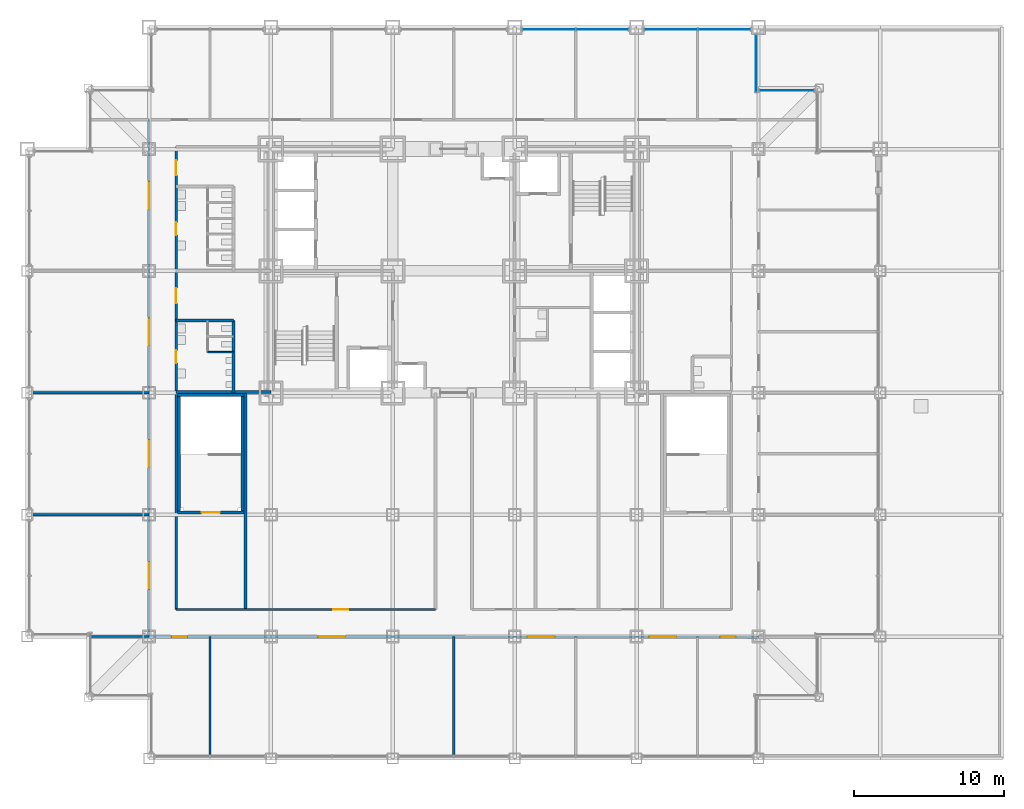
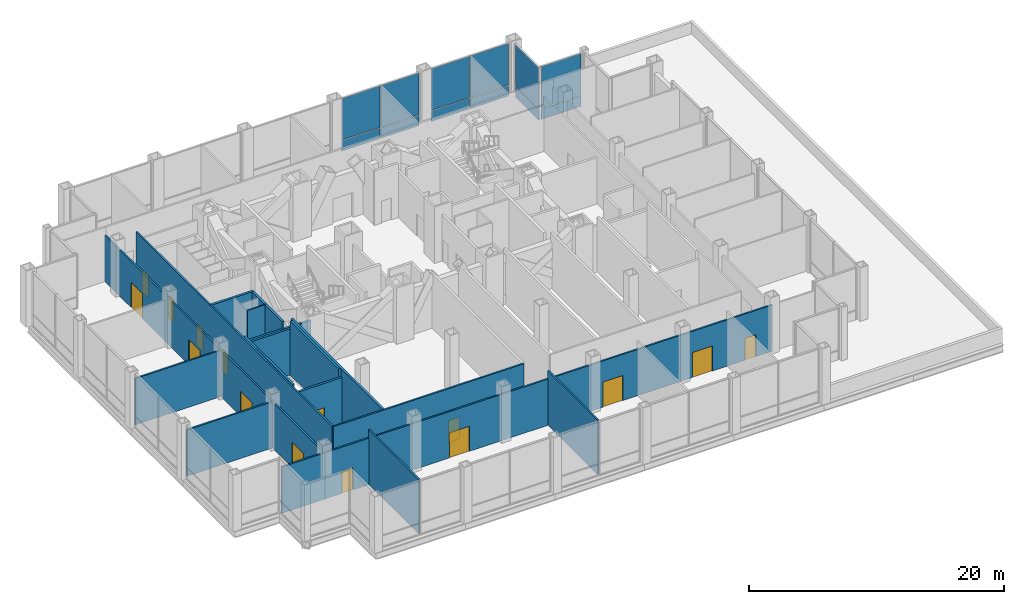
# One storey, part 12 of 18: 18 walls, 15 doors, 12 plates, 15 openings, 4 elements without a shape of their own.
"""IFC4 building model written with IfcOpenShell, lengths in metres."""

from ifc_helpers import new_model, si_unit, direction, frame, frame_2d, origin, origin_2d, place, context, subcontext, project, spatial, rectangle, extrude, material, layer, layer_set, type_object, element, fill, aggregate, save


model = new_model("IFC4")

# Units and contexts
model_context = context("Model", 3, precision=1e-05, world=origin(), true_north=direction((0.0, 1.0)))
body_context = subcontext(model_context, "Body", "Model", "MODEL_VIEW")
ifc_project = project(units=[si_unit("LENGTHUNIT", "METRE"), si_unit("AREAUNIT", "SQUARE_METRE"), si_unit("VOLUMEUNIT", "CUBIC_METRE"), si_unit("PLANEANGLEUNIT", "RADIAN"), si_unit("MASSUNIT", "GRAM", prefix="KILO")], contexts=[model_context])

# Site, building, storey
site_placement = place(None, origin())
site = spatial("IfcSite", under=ifc_project, at=site_placement, CompositionType="ELEMENT")
building_placement = place(site_placement, origin())
building = spatial("IfcBuilding", under=site, at=building_placement, Name="Kopane Lantern Tower", CompositionType="ELEMENT")
storey_placement = place(building_placement, frame((0.0, 0.0, 22.199951171875)))
storey = spatial("IfcBuildingStorey", under=building, at=storey_placement, Name="L04", CompositionType="ELEMENT", Elevation=22.199951171875)

# Curtain wall, plates
ifc_material_1 = material(Name="Aluminium and clear glass", Category="aluminium")
curtain_wall_type = type_object("IfcCurtainWallType", Name="CURTAIN WALL CW3 SKY LOBBY", PredefinedType="USERDEFINED", material=ifc_material_1)
curtain_wall_1_placement = place(storey_placement, origin())
curtain_wall_1 = element("IfcCurtainWall", 1, at=curtain_wall_1_placement, inside=storey, type_object=curtain_wall_type, Name="Curtain wall CW3 N L04", ObjectType="CURTAIN WALL", PredefinedType="USERDEFINED")
ifc_material_2 = material(Name="Insulated clear glass unit", Category="glass")
ifc_layer_1 = layer(ifc_material_2, 0.033935546875)
ifc_layer_set_1 = layer_set([ifc_layer_1], Name="CURTAIN PANEL CW3-P 34")
plate_type = type_object("IfcPlateType", Name="CURTAIN PANEL CW3-P 34", PredefinedType="CURTAIN_PANEL", material=ifc_layer_set_1)
plate_1_placement = place(storey_placement, frame((50.47509765625, 44.39990234375, 0.070068359375), z_axis=(0.0, 0.0, 1.0), x_axis=(-1.0, 0.0, 0.0)))
plate_1 = element("IfcPlate", 2, at=plate_1_placement, type_object=plate_type, Name="CW3 panel 1.1", PredefinedType="CURTAIN_PANEL", context=body_context, shape_type="SweptSolid", body=[
    extrude(rectangle(XDim=3.610107421875, YDim=0.033935546875, at=origin_2d()), origin(), (0.0, 0.0, 1.0), 0.9951171875),
])
plate_2_placement = place(storey_placement, frame((50.47509765625, 44.39990234375, 1.134765625), z_axis=(0.0, 0.0, 1.0), x_axis=(-1.0, 0.0, 0.0)))
plate_2 = element("IfcPlate", 3, at=plate_2_placement, type_object=plate_type, Name="CW3 panel 1.2", PredefinedType="CURTAIN_PANEL", context=body_context, shape_type="SweptSolid", body=[
    extrude(rectangle(XDim=3.610107421875, YDim=0.033935546875, at=origin_2d()), origin(), (0.0, 0.0, 1.0), 3.985107421875),
])
aggregate(curtain_wall_1, [plate_1, plate_2])

curtain_wall_2_placement = place(storey_placement, origin())
curtain_wall_2 = element("IfcCurtainWall", 4, at=curtain_wall_2_placement, inside=storey, type_object=curtain_wall_type, Name="Curtain wall CW3 E L04", ObjectType="CURTAIN WALL", PredefinedType="USERDEFINED")
plate_3_placement = place(storey_placement, frame((48.449951171875, 46.18505859375, 0.070068359375), z_axis=(0.0, 0.0, 1.0), x_axis=(0.0, 1.0, 0.0)))
plate_3 = element("IfcPlate", 5, at=plate_3_placement, type_object=plate_type, Name="CW3 panel 1.1", PredefinedType="CURTAIN_PANEL", context=body_context, shape_type="SweptSolid", body=[
    extrude(rectangle(XDim=3.72998046875, YDim=0.033935546875, at=origin_2d()), origin(), (0.0, 0.0, 1.0), 0.9951171875),
])
plate_4_placement = place(storey_placement, frame((48.449951171875, 46.18505859375, 1.134765625), z_axis=(0.0, 0.0, 1.0), x_axis=(0.0, 1.0, 0.0)))
plate_4 = element("IfcPlate", 6, at=plate_4_placement, type_object=plate_type, Name="CW3 panel 1.2", PredefinedType="CURTAIN_PANEL", context=body_context, shape_type="SweptSolid", body=[
    extrude(rectangle(XDim=3.72998046875, YDim=0.033935546875, at=origin_2d()), origin(), (0.0, 0.0, 1.0), 3.985107421875),
])
aggregate(curtain_wall_2, [plate_3, plate_4])

curtain_wall_3_placement = place(storey_placement, origin())
curtain_wall_3 = element("IfcCurtainWall", 7, at=curtain_wall_3_placement, inside=storey, type_object=curtain_wall_type, Name="Curtain wall CW3 N L04", ObjectType="CURTAIN WALL", PredefinedType="USERDEFINED")
plate_5_placement = place(storey_placement, frame((46.3173828125, 48.449951171875, 0.070068359375), z_axis=(0.0, 0.0, 1.0), x_axis=(-1.0, 0.0, 0.0)))
plate_5 = element("IfcPlate", 8, at=plate_5_placement, type_object=plate_type, Name="CW3 panel 1.1", PredefinedType="CURTAIN_PANEL", context=body_context, shape_type="SweptSolid", body=[
    extrude(rectangle(XDim=3.465087890625, YDim=0.033935546875, at=origin_2d()), origin(), (0.0, 0.0, 1.0), 0.9951171875),
])
plate_6_placement = place(storey_placement, frame((46.3173828125, 48.449951171875, 1.134765625), z_axis=(0.0, 0.0, 1.0), x_axis=(-1.0, 0.0, 0.0)))
plate_6 = element("IfcPlate", 9, at=plate_6_placement, type_object=plate_type, Name="CW3 panel 1.2", PredefinedType="CURTAIN_PANEL", context=body_context, shape_type="SweptSolid", body=[
    extrude(rectangle(XDim=3.465087890625, YDim=0.033935546875, at=origin_2d()), origin(), (0.0, 0.0, 1.0), 3.985107421875),
])
plate_7_placement = place(storey_placement, frame((42.782470703125, 48.449951171875, 0.070068359375), z_axis=(0.0, 0.0, 1.0), x_axis=(-1.0, 0.0, 0.0)))
plate_7 = element("IfcPlate", 10, at=plate_7_placement, type_object=plate_type, Name="CW3 panel 2.1", PredefinedType="CURTAIN_PANEL", context=body_context, shape_type="SweptSolid", body=[
    extrude(rectangle(XDim=3.465087890625, YDim=0.033935546875, at=origin_2d()), origin(), (0.0, 0.0, 1.0), 0.9951171875),
])
plate_8_placement = place(storey_placement, frame((42.782470703125, 48.449951171875, 1.134765625), z_axis=(0.0, 0.0, 1.0), x_axis=(-1.0, 0.0, 0.0)))
plate_8 = element("IfcPlate", 11, at=plate_8_placement, type_object=plate_type, Name="CW3 panel 2.2", PredefinedType="CURTAIN_PANEL", context=body_context, shape_type="SweptSolid", body=[
    extrude(rectangle(XDim=3.465087890625, YDim=0.033935546875, at=origin_2d()), origin(), (0.0, 0.0, 1.0), 3.985107421875),
])
aggregate(curtain_wall_3, [plate_5, plate_6, plate_7, plate_8])

curtain_wall_4_placement = place(storey_placement, origin())
curtain_wall_4 = element("IfcCurtainWall", 12, at=curtain_wall_4_placement, inside=storey, type_object=curtain_wall_type, Name="Curtain wall CW3 N L04", ObjectType="CURTAIN WALL", PredefinedType="USERDEFINED")
plate_9_placement = place(storey_placement, frame((38.217529296875, 48.449951171875, 0.070068359375), z_axis=(0.0, 0.0, 1.0), x_axis=(-1.0, 0.0, 0.0)))
plate_9 = element("IfcPlate", 13, at=plate_9_placement, type_object=plate_type, Name="CW3 panel 1.1", PredefinedType="CURTAIN_PANEL", context=body_context, shape_type="SweptSolid", body=[
    extrude(rectangle(XDim=3.465087890625, YDim=0.033935546875, at=origin_2d()), origin(), (0.0, 0.0, 1.0), 0.9951171875),
])
plate_10_placement = place(storey_placement, frame((38.217529296875, 48.449951171875, 1.134765625), z_axis=(0.0, 0.0, 1.0), x_axis=(-1.0, 0.0, 0.0)))
plate_10 = element("IfcPlate", 14, at=plate_10_placement, type_object=plate_type, Name="CW3 panel 1.2", PredefinedType="CURTAIN_PANEL", context=body_context, shape_type="SweptSolid", body=[
    extrude(rectangle(XDim=3.465087890625, YDim=0.033935546875, at=origin_2d()), origin(), (0.0, 0.0, 1.0), 3.985107421875),
])
plate_11_placement = place(storey_placement, frame((34.6826171875, 48.449951171875, 0.070068359375), z_axis=(0.0, 0.0, 1.0), x_axis=(-1.0, 0.0, 0.0)))
plate_11 = element("IfcPlate", 15, at=plate_11_placement, type_object=plate_type, Name="CW3 panel 2.1", PredefinedType="CURTAIN_PANEL", context=body_context, shape_type="SweptSolid", body=[
    extrude(rectangle(XDim=3.465087890625, YDim=0.033935546875, at=origin_2d()), origin(), (0.0, 0.0, 1.0), 0.9951171875),
])
plate_12_placement = place(storey_placement, frame((34.6826171875, 48.449951171875, 1.134765625), z_axis=(0.0, 0.0, 1.0), x_axis=(-1.0, 0.0, 0.0)))
plate_12 = element("IfcPlate", 16, at=plate_12_placement, type_object=plate_type, Name="CW3 panel 2.2", PredefinedType="CURTAIN_PANEL", context=body_context, shape_type="SweptSolid", body=[
    extrude(rectangle(XDim=3.465087890625, YDim=0.033935546875, at=origin_2d()), origin(), (0.0, 0.0, 1.0), 3.985107421875),
])
aggregate(curtain_wall_4, [plate_9, plate_10, plate_11, plate_12])

# Wall
ifc_material_3 = material(Name="Moisture-resistant board on steel studs", Category="steel")
ifc_layer_2 = layer(ifc_material_3, 0.10009765625)
ifc_layer_set_2 = layer_set([ifc_layer_2], Name="BATHROOM WALL 100")
wall_type_1 = type_object("IfcWallType", Name="BATHROOM WALL 100", PredefinedType="PARTITIONING", material=ifc_layer_set_2)
wall_1_placement = place(storey_placement, frame((12.0, 27.0, 0.0), z_axis=(0.0, 0.0, 1.0), x_axis=(1.0, 0.0, 0.0)))
element("IfcWall", 17, at=wall_1_placement, inside=storey, type_object=wall_type_1, Name="Bathroom Wall 100 L04", PredefinedType="PARTITIONING", context=body_context, shape_type="SweptSolid", body=[
    extrude(rectangle(XDim=1.699951171875, YDim=0.10009765625, at=frame_2d((0.85009765625, 0.0))), origin(), (0.0, 0.0, 1.0), 5.18994140625),
])

# Wall, openings, doors
ifc_material_4 = material(Name="Gypsum board on steel studs", Category="steel")
ifc_layer_3 = layer(ifc_material_4, 0.14990234375)
ifc_layer_set_3 = layer_set([ifc_layer_3], Name="CORRIDOR WALL 150 EI 60")
wall_type_2 = type_object("IfcWallType", Name="CORRIDOR WALL 150 EI 60", PredefinedType="PARTITIONING", material=ifc_layer_set_3)
wall_2_placement = place(storey_placement, frame((8.10009765625, 8.10009765625, 0.0), z_axis=(0.0, 0.0, 1.0), x_axis=(0.99999962324, -0.000868055229, 0.0)))
wall_2 = element("IfcWall", 18, at=wall_2_placement, inside=storey, type_object=wall_type_2, Name="Corridor Wall 150 Ei 60 L04", PredefinedType="PARTITIONING", context=body_context, shape_type="SweptSolid", body=[
    extrude(rectangle(XDim=40.5, YDim=0.14990234375, at=frame_2d((20.25, 0.0))), origin(), (0.0, 0.0, 1.0), 4.427734375),
])
opening_1_placement = place(wall_2_placement, frame((11.25, 0.0, 0.0)))
opening_1 = element("IfcOpeningElement", 19, at=opening_1_placement, cuts=wall_2, Name="Opening L04-012", PredefinedType="OPENING", context=body_context, shape_type="SweptSolid", body=[
    extrude(rectangle(XDim=1.800048828125, YDim=2.39990234375, at=frame_2d((0.89990234375, 1.199951171875))), frame((0.0, 0.0849609375, 0.0), z_axis=(0.0, -1.0, 0.0), x_axis=(1.0, 0.0, 0.0)), (0.0, 0.0, 1.0), 0.169921875),
])
opening_2_placement = place(wall_2_placement, frame((25.14990234375, 0.0, 0.0)))
opening_2 = element("IfcOpeningElement", 20, at=opening_2_placement, cuts=wall_2, Name="Opening L04-013", PredefinedType="OPENING", context=body_context, shape_type="SweptSolid", body=[
    extrude(rectangle(XDim=1.800048828125, YDim=2.39990234375, at=frame_2d((0.89990234375, 1.199951171875))), frame((0.0, 0.0849609375, 0.0), z_axis=(0.0, -1.0, 0.0), x_axis=(1.0, 0.0, 0.0)), (0.0, 0.0, 1.0), 0.169921875),
])
opening_3_placement = place(wall_2_placement, frame((33.25, 0.0, 0.0)))
opening_3 = element("IfcOpeningElement", 21, at=opening_3_placement, cuts=wall_2, Name="Opening L04-014", PredefinedType="OPENING", context=body_context, shape_type="SweptSolid", body=[
    extrude(rectangle(XDim=1.800048828125, YDim=2.39990234375, at=frame_2d((0.89990234375, 1.199951171875))), frame((0.0, 0.0849609375, 0.0), z_axis=(0.0, -1.0, 0.0), x_axis=(1.0, 0.0, 0.0)), (0.0, 0.0, 1.0), 0.169921875),
])
opening_4_placement = place(wall_2_placement, frame((1.52490234375, 0.0, 0.0)))
opening_4 = element("IfcOpeningElement", 22, at=opening_4_placement, cuts=wall_2, Name="Opening L04-030", PredefinedType="OPENING", context=body_context, shape_type="SweptSolid", body=[
    extrude(rectangle(XDim=1.0, YDim=2.10009765625, at=frame_2d((0.5, 1.050048828125))), frame((0.0, 0.0849609375, 0.0), z_axis=(0.0, -1.0, 0.0), x_axis=(1.0, 0.0, 0.0)), (0.0, 0.0, 1.0), 0.169921875),
])
opening_5_placement = place(wall_2_placement, frame((37.97509765625, 0.0, 0.0)))
opening_5 = element("IfcOpeningElement", 23, at=opening_5_placement, cuts=wall_2, Name="Opening L04-031", PredefinedType="OPENING", context=body_context, shape_type="SweptSolid", body=[
    extrude(rectangle(XDim=1.0, YDim=2.10009765625, at=frame_2d((0.5, 1.050048828125))), frame((0.0, 0.0849609375, 0.0), z_axis=(0.0, -1.0, 0.0), x_axis=(1.0, 0.0, 0.0)), (0.0, 0.0, 1.0), 0.169921875),
])
ifc_material_5 = material(Name="Steel door set", Category="steel")
door_type_1 = type_object("IfcDoorType", Name="DOOR D5 1000x2100 FD60", OperationType="SINGLE_SWING_LEFT", PredefinedType="DOOR", material=ifc_material_5)
door_1_placement = place(opening_4_placement, origin())
door_1 = element("IfcDoor", 24, at=door_1_placement, inside=storey, type_object=door_type_1, Name="Door L04-030", OperationType="SINGLE_SWING_LEFT", OverallHeight=2.10009765625, OverallWidth=1.0, PredefinedType="DOOR", context=body_context, shape_type="SweptSolid", body=[
    extrude(rectangle(XDim=1.0, YDim=2.10009765625, at=frame_2d((0.5, 1.050048828125))), frame((0.0, 0.02490234375, 0.0), z_axis=(0.0, -1.0, 0.0), x_axis=(1.0, 0.0, 0.0)), (0.0, 0.0, 1.0), 0.050048828125),
])
fill(opening_4, door_1)
door_2_placement = place(opening_5_placement, origin())
door_2 = element("IfcDoor", 25, at=door_2_placement, inside=storey, type_object=door_type_1, Name="Door L04-031", OperationType="SINGLE_SWING_RIGHT", OverallHeight=2.10009765625, OverallWidth=1.0, PredefinedType="DOOR", context=body_context, shape_type="SweptSolid", body=[
    extrude(rectangle(XDim=1.0, YDim=2.10009765625, at=frame_2d((0.5, 1.050048828125))), frame((0.0, 0.02490234375, 0.0), z_axis=(0.0, -1.0, 0.0), x_axis=(1.0, 0.0, 0.0)), (0.0, 0.0, 1.0), 0.050048828125),
])
fill(opening_5, door_2)
ifc_material_6 = material(Name="Steel door set", Category="steel")
door_type_2 = type_object("IfcDoorType", Name="DOOR D6 1800x2400 FD30S", OperationType="SINGLE_SWING_LEFT", PredefinedType="DOOR", material=ifc_material_6)
door_3_placement = place(opening_1_placement, origin())
door_3 = element("IfcDoor", 26, at=door_3_placement, inside=storey, type_object=door_type_2, Name="Door L04-012", OperationType="DOUBLE_DOOR_SINGLE_SWING", OverallHeight=2.39990234375, OverallWidth=1.800048828125, PredefinedType="DOOR", context=body_context, shape_type="SweptSolid", body=[
    extrude(rectangle(XDim=1.800048828125, YDim=2.39990234375, at=frame_2d((0.89990234375, 1.199951171875))), frame((0.0, 0.02490234375, 0.0), z_axis=(0.0, -1.0, 0.0), x_axis=(1.0, 0.0, 0.0)), (0.0, 0.0, 1.0), 0.050048828125),
])
fill(opening_1, door_3)
door_4_placement = place(opening_2_placement, origin())
door_4 = element("IfcDoor", 27, at=door_4_placement, inside=storey, type_object=door_type_2, Name="Door L04-013", OperationType="DOUBLE_DOOR_SINGLE_SWING", OverallHeight=2.39990234375, OverallWidth=1.800048828125, PredefinedType="DOOR", context=body_context, shape_type="SweptSolid", body=[
    extrude(rectangle(XDim=1.800048828125, YDim=2.39990234375, at=frame_2d((0.89990234375, 1.199951171875))), frame((0.0, 0.02490234375, 0.0), z_axis=(0.0, -1.0, 0.0), x_axis=(1.0, 0.0, 0.0)), (0.0, 0.0, 1.0), 0.050048828125),
])
fill(opening_2, door_4)
door_5_placement = place(opening_3_placement, origin())
door_5 = element("IfcDoor", 28, at=door_5_placement, inside=storey, type_object=door_type_2, Name="Door L04-014", OperationType="DOUBLE_DOOR_SINGLE_SWING", OverallHeight=2.39990234375, OverallWidth=1.800048828125, PredefinedType="DOOR", context=body_context, shape_type="SweptSolid", body=[
    extrude(rectangle(XDim=1.800048828125, YDim=2.39990234375, at=frame_2d((0.89990234375, 1.199951171875))), frame((0.0, 0.02490234375, 0.0), z_axis=(0.0, -1.0, 0.0), x_axis=(1.0, 0.0, 0.0)), (0.0, 0.0, 1.0), 0.050048828125),
])
fill(opening_3, door_5)

wall_3_placement = place(storey_placement, frame((8.10009765625, 8.10009765625, 0.0), z_axis=(0.0, 0.0, 1.0), x_axis=(0.0, 1.0, 0.0)))
wall_3 = element("IfcWall", 29, at=wall_3_placement, inside=storey, type_object=wall_type_2, Name="Corridor Wall 150 Ei 60 L04", PredefinedType="PARTITIONING", context=body_context, shape_type="SweptSolid", body=[
    extrude(rectangle(XDim=34.349853515625, YDim=0.14990234375, at=frame_2d((17.1748046875, 0.0))), origin(), (0.0, 0.0, 1.0), 4.427734375),
])
opening_6_placement = place(wall_3_placement, frame((3.14990234375, 0.0, 0.0)))
opening_6 = element("IfcOpeningElement", 30, at=opening_6_placement, cuts=wall_3, Name="Opening L04-019", PredefinedType="OPENING", context=body_context, shape_type="SweptSolid", body=[
    extrude(rectangle(XDim=1.800048828125, YDim=2.39990234375, at=frame_2d((0.89990234375, 1.199951171875))), frame((0.0, 0.0849609375, 0.0), z_axis=(0.0, -1.0, 0.0), x_axis=(1.0, 0.0, 0.0)), (0.0, 0.0, 1.0), 0.169921875),
])
opening_7_placement = place(wall_3_placement, frame((11.25, 0.0, 0.0)))
opening_7 = element("IfcOpeningElement", 31, at=opening_7_placement, cuts=wall_3, Name="Opening L04-020", PredefinedType="OPENING", context=body_context, shape_type="SweptSolid", body=[
    extrude(rectangle(XDim=1.800048828125, YDim=2.39990234375, at=frame_2d((0.89990234375, 1.199951171875))), frame((0.0, 0.0849609375, 0.0), z_axis=(0.0, -1.0, 0.0), x_axis=(1.0, 0.0, 0.0)), (0.0, 0.0, 1.0), 0.169921875),
])
opening_8_placement = place(wall_3_placement, frame((19.35009765625, 0.0, 0.0)))
opening_8 = element("IfcOpeningElement", 32, at=opening_8_placement, cuts=wall_3, Name="Opening L04-021", PredefinedType="OPENING", context=body_context, shape_type="SweptSolid", body=[
    extrude(rectangle(XDim=1.800048828125, YDim=2.39990234375, at=frame_2d((0.89990234375, 1.199951171875))), frame((0.0, 0.0849609375, 0.0), z_axis=(0.0, -1.0, 0.0), x_axis=(1.0, 0.0, 0.0)), (0.0, 0.0, 1.0), 0.169921875),
])
opening_9_placement = place(wall_3_placement, frame((28.425048828125, 0.0, 0.0)))
opening_9 = element("IfcOpeningElement", 33, at=opening_9_placement, cuts=wall_3, Name="Opening L04-022", PredefinedType="OPENING", context=body_context, shape_type="SweptSolid", body=[
    extrude(rectangle(XDim=1.800048828125, YDim=2.39990234375, at=frame_2d((0.89990234375, 1.199951171875))), frame((0.0, 0.0849609375, 0.0), z_axis=(0.0, -1.0, 0.0), x_axis=(1.0, 0.0, 0.0)), (0.0, 0.0, 1.0), 0.169921875),
])
door_6_placement = place(opening_6_placement, origin())
door_6 = element("IfcDoor", 34, at=door_6_placement, inside=storey, type_object=door_type_2, Name="Door L04-019", OperationType="DOUBLE_DOOR_SINGLE_SWING", OverallHeight=2.39990234375, OverallWidth=1.800048828125, PredefinedType="DOOR", context=body_context, shape_type="SweptSolid", body=[
    extrude(rectangle(XDim=1.800048828125, YDim=2.39990234375, at=frame_2d((0.89990234375, 1.199951171875))), frame((0.0, 0.02490234375, 0.0), z_axis=(0.0, -1.0, 0.0), x_axis=(1.0, 0.0, 0.0)), (0.0, 0.0, 1.0), 0.050048828125),
])
fill(opening_6, door_6)
door_7_placement = place(opening_7_placement, origin())
door_7 = element("IfcDoor", 35, at=door_7_placement, inside=storey, type_object=door_type_2, Name="Door L04-020", OperationType="DOUBLE_DOOR_SINGLE_SWING", OverallHeight=2.39990234375, OverallWidth=1.800048828125, PredefinedType="DOOR", context=body_context, shape_type="SweptSolid", body=[
    extrude(rectangle(XDim=1.800048828125, YDim=2.39990234375, at=frame_2d((0.89990234375, 1.199951171875))), frame((0.0, 0.02490234375, 0.0), z_axis=(0.0, -1.0, 0.0), x_axis=(1.0, 0.0, 0.0)), (0.0, 0.0, 1.0), 0.050048828125),
])
fill(opening_7, door_7)
door_8_placement = place(opening_8_placement, origin())
door_8 = element("IfcDoor", 36, at=door_8_placement, inside=storey, type_object=door_type_2, Name="Door L04-021", OperationType="DOUBLE_DOOR_SINGLE_SWING", OverallHeight=2.39990234375, OverallWidth=1.800048828125, PredefinedType="DOOR", context=body_context, shape_type="SweptSolid", body=[
    extrude(rectangle(XDim=1.800048828125, YDim=2.39990234375, at=frame_2d((0.89990234375, 1.199951171875))), frame((0.0, 0.02490234375, 0.0), z_axis=(0.0, -1.0, 0.0), x_axis=(1.0, 0.0, 0.0)), (0.0, 0.0, 1.0), 0.050048828125),
])
fill(opening_8, door_8)
door_9_placement = place(opening_9_placement, origin())
door_9 = element("IfcDoor", 37, at=door_9_placement, inside=storey, type_object=door_type_2, Name="Door L04-022", OperationType="DOUBLE_DOOR_SINGLE_SWING", OverallHeight=2.39990234375, OverallWidth=1.800048828125, PredefinedType="DOOR", context=body_context, shape_type="SweptSolid", body=[
    extrude(rectangle(XDim=1.800048828125, YDim=2.39990234375, at=frame_2d((0.89990234375, 1.199951171875))), frame((0.0, 0.02490234375, 0.0), z_axis=(0.0, -1.0, 0.0), x_axis=(1.0, 0.0, 0.0)), (0.0, 0.0, 1.0), 0.050048828125),
])
fill(opening_9, door_9)

wall_4_placement = place(storey_placement, frame((9.89990234375, 40.64990234375, 0.0), z_axis=(0.0, 0.0, 1.0), x_axis=(0.0, -1.0, 0.0)))
wall_4 = element("IfcWall", 38, at=wall_4_placement, inside=storey, type_object=wall_type_2, Name="Corridor Wall 150 Ei 60 L04", PredefinedType="PARTITIONING", context=body_context, shape_type="SweptSolid", body=[
    extrude(rectangle(XDim=30.75, YDim=0.14990234375, at=frame_2d((15.375, 0.0))), origin(), (0.0, 0.0, 1.0), 5.18994140625),
])
opening_10_placement = place(wall_4_placement, frame((13.52490234375, 0.0, 0.0)))
opening_10 = element("IfcOpeningElement", 39, at=opening_10_placement, cuts=wall_4, Name="Opening L04-001", PredefinedType="OPENING", context=body_context, shape_type="SweptSolid", body=[
    extrude(rectangle(XDim=0.85009765625, YDim=2.10009765625, at=frame_2d((0.425048828125, 1.050048828125))), frame((0.0, 0.0849609375, 0.0), z_axis=(0.0, -1.0, 0.0), x_axis=(1.0, 0.0, 0.0)), (0.0, 0.0, 1.0), 0.169921875),
])
opening_11_placement = place(wall_4_placement, frame((9.39990234375, 0.0, 0.0)))
opening_11 = element("IfcOpeningElement", 40, at=opening_11_placement, cuts=wall_4, Name="Opening L04-002", PredefinedType="OPENING", context=body_context, shape_type="SweptSolid", body=[
    extrude(rectangle(XDim=1.0, YDim=2.10009765625, at=frame_2d((0.5, 1.050048828125))), frame((0.0, 0.0849609375, 0.0), z_axis=(0.0, -1.0, 0.0), x_axis=(1.0, 0.0, 0.0)), (0.0, 0.0, 1.0), 0.169921875),
])
opening_12_placement = place(wall_4_placement, frame((5.02490234375, 0.0, 0.0)))
opening_12 = element("IfcOpeningElement", 41, at=opening_12_placement, cuts=wall_4, Name="Opening L04-003", PredefinedType="OPENING", context=body_context, shape_type="SweptSolid", body=[
    extrude(rectangle(XDim=0.85009765625, YDim=2.10009765625, at=frame_2d((0.425048828125, 1.050048828125))), frame((0.0, 0.0849609375, 0.0), z_axis=(0.0, -1.0, 0.0), x_axis=(1.0, 0.0, 0.0)), (0.0, 0.0, 1.0), 0.169921875),
])
opening_13_placement = place(wall_4_placement, frame((0.89990234375, 0.0, 0.0)))
opening_13 = element("IfcOpeningElement", 42, at=opening_13_placement, cuts=wall_4, Name="Opening L04-004", PredefinedType="OPENING", context=body_context, shape_type="SweptSolid", body=[
    extrude(rectangle(XDim=1.0, YDim=2.10009765625, at=frame_2d((0.5, 1.050048828125))), frame((0.0, 0.0849609375, 0.0), z_axis=(0.0, -1.0, 0.0), x_axis=(1.0, 0.0, 0.0)), (0.0, 0.0, 1.0), 0.169921875),
])
ifc_material_7 = material(Name="Timber door set", Category="wood")
door_type_3 = type_object("IfcDoorType", Name="DOOR D4 850x2100", OperationType="SINGLE_SWING_LEFT", PredefinedType="DOOR", material=ifc_material_7)
door_10_placement = place(opening_10_placement, origin())
door_10 = element("IfcDoor", 43, at=door_10_placement, inside=storey, type_object=door_type_3, Name="Door L04-001", OperationType="SINGLE_SWING_RIGHT", OverallHeight=2.10009765625, OverallWidth=0.85009765625, PredefinedType="DOOR", context=body_context, shape_type="SweptSolid", body=[
    extrude(rectangle(XDim=0.85009765625, YDim=2.10009765625, at=frame_2d((0.425048828125, 1.050048828125))), frame((0.0, 0.02490234375, 0.0), z_axis=(0.0, -1.0, 0.0), x_axis=(1.0, 0.0, 0.0)), (0.0, 0.0, 1.0), 0.050048828125),
])
fill(opening_10, door_10)
door_11_placement = place(opening_12_placement, origin())
door_11 = element("IfcDoor", 44, at=door_11_placement, inside=storey, type_object=door_type_3, Name="Door L04-003", OperationType="SINGLE_SWING_RIGHT", OverallHeight=2.10009765625, OverallWidth=0.85009765625, PredefinedType="DOOR", context=body_context, shape_type="SweptSolid", body=[
    extrude(rectangle(XDim=0.85009765625, YDim=2.10009765625, at=frame_2d((0.425048828125, 1.050048828125))), frame((0.0, 0.02490234375, 0.0), z_axis=(0.0, -1.0, 0.0), x_axis=(1.0, 0.0, 0.0)), (0.0, 0.0, 1.0), 0.050048828125),
])
fill(opening_12, door_11)
door_12_placement = place(opening_11_placement, origin())
door_12 = element("IfcDoor", 45, at=door_12_placement, inside=storey, type_object=door_type_1, Name="Door L04-002", OperationType="SINGLE_SWING_LEFT", OverallHeight=2.10009765625, OverallWidth=1.0, PredefinedType="DOOR", context=body_context, shape_type="SweptSolid", body=[
    extrude(rectangle(XDim=1.0, YDim=2.10009765625, at=frame_2d((0.5, 1.050048828125))), frame((0.0, 0.02490234375, 0.0), z_axis=(0.0, -1.0, 0.0), x_axis=(1.0, 0.0, 0.0)), (0.0, 0.0, 1.0), 0.050048828125),
])
fill(opening_11, door_12)
door_13_placement = place(opening_13_placement, origin())
door_13 = element("IfcDoor", 46, at=door_13_placement, inside=storey, type_object=door_type_1, Name="Door L04-004", OperationType="SINGLE_SWING_RIGHT", OverallHeight=2.10009765625, OverallWidth=1.0, PredefinedType="DOOR", context=body_context, shape_type="SweptSolid", body=[
    extrude(rectangle(XDim=1.0, YDim=2.10009765625, at=frame_2d((0.5, 1.050048828125))), frame((0.0, 0.02490234375, 0.0), z_axis=(0.0, -1.0, 0.0), x_axis=(1.0, 0.0, 0.0)), (0.0, 0.0, 1.0), 0.050048828125),
])
fill(opening_13, door_13)

# Wall, opening, door
wall_5_placement = place(storey_placement, frame((9.89990234375, 9.89990234375, 0.0), z_axis=(0.0, 0.0, 1.0), x_axis=(1.0, 0.0, 0.0)))
wall_5 = element("IfcWall", 47, at=wall_5_placement, inside=storey, type_object=wall_type_2, Name="Corridor Wall 150 Ei 60 L04", PredefinedType="PARTITIONING", context=body_context, shape_type="SweptSolid", body=[
    extrude(rectangle(XDim=17.239990234375, YDim=0.14990234375, at=frame_2d((8.6201171875, 0.0))), origin(), (0.0, 0.0, 1.0), 5.18994140625),
])
opening_14_placement = place(wall_5_placement, frame((10.425048828125, 0.0, 0.0)))
opening_14 = element("IfcOpeningElement", 48, at=opening_14_placement, cuts=wall_5, Name="Opening L04-008", PredefinedType="OPENING", context=body_context, shape_type="SweptSolid", body=[
    extrude(rectangle(XDim=1.0, YDim=2.10009765625, at=frame_2d((0.5, 1.050048828125))), frame((0.0, 0.0849609375, 0.0), z_axis=(0.0, -1.0, 0.0), x_axis=(1.0, 0.0, 0.0)), (0.0, 0.0, 1.0), 0.169921875),
])
door_14_placement = place(opening_14_placement, origin())
door_14 = element("IfcDoor", 49, at=door_14_placement, inside=storey, type_object=door_type_1, Name="Door L04-008", OperationType="SINGLE_SWING_LEFT", OverallHeight=2.10009765625, OverallWidth=1.0, PredefinedType="DOOR", context=body_context, shape_type="SweptSolid", body=[
    extrude(rectangle(XDim=1.0, YDim=2.10009765625, at=frame_2d((0.5, 1.050048828125))), frame((0.0, 0.02490234375, 0.0), z_axis=(0.0, -1.0, 0.0), x_axis=(1.0, 0.0, 0.0)), (0.0, 0.0, 1.0), 0.050048828125),
])
fill(opening_14, door_14)

# Walls
ifc_material_8 = material(Name="Gypsum board on steel studs", Category="steel")
ifc_layer_4 = layer(ifc_material_8, 0.14990234375)
ifc_layer_set_4 = layer_set([ifc_layer_4], Name="DEMISING WALL 150 EI 60")
wall_type_3 = type_object("IfcWallType", Name="DEMISING WALL 150 EI 60", PredefinedType="PARTITIONING", material=ifc_layer_set_4)
wall_6_placement = place(storey_placement, frame((28.35009765625, 8.10009765625, 0.0), z_axis=(0.0, 0.0, 1.0), x_axis=(0.0, -1.0, 0.0)))
element("IfcWall", 50, at=wall_6_placement, inside=storey, type_object=wall_type_3, Name="Demising Wall 150 Ei 60 L04", PredefinedType="PARTITIONING", context=body_context, shape_type="SweptSolid", body=[
    extrude(rectangle(XDim=7.834716796875, YDim=0.14990234375, at=frame_2d((3.91748046875, 0.0))), origin(), (0.0, 0.0, 1.0), 5.18994140625),
])
for number, where, z_axis, x_axis, name in (
    (51, (8.10009765625, 16.199951171875, 0.0), (0.0, 0.0, 1.0), (-1.0, 0.0, 0.0), "Demising Wall 150 Ei 60 L04"),
    (52, (8.10009765625, 24.300048828125, 0.0), (0.0, 0.0, 1.0), (-1.0, 0.0, 0.0), "Demising Wall 150 Ei 60 L04"),
):
    element("IfcWall", number, at=place(storey_placement, frame(where, z_axis=z_axis, x_axis=x_axis)), inside=storey, type_object=wall_type_3, Name=name, PredefinedType="PARTITIONING", context=body_context, shape_type="SweptSolid", body=[
        extrude(rectangle(XDim=7.800048828125, YDim=0.14990234375, at=frame_2d((3.89990234375, 0.0))), origin(), (0.0, 0.0, 1.0), 4.427734375),
    ])
wall_7_placement = place(storey_placement, frame((4.219970703125, 8.10009765625, 0.0), z_axis=(0.0, 0.0, 1.0), x_axis=(1.0, 0.0, 0.0)))
element("IfcWall", 53, at=wall_7_placement, inside=storey, type_object=wall_type_3, Name="Demising Wall 150 Ei 60 L04", PredefinedType="PARTITIONING", context=body_context, shape_type="SweptSolid", body=[
    extrude(rectangle(XDim=3.880126953125, YDim=0.14990234375, at=frame_2d((1.93994140625, 0.0))), origin(), (0.0, 0.0, 1.0), 4.427734375),
])
wall_8_placement = place(storey_placement, frame((12.14990234375, 8.10009765625, 0.0), z_axis=(0.0, 0.0, 1.0), x_axis=(0.0, -1.0, 0.0)))
element("IfcWall", 54, at=wall_8_placement, inside=storey, type_object=wall_type_3, Name="Demising Wall 150 Ei 60 L04", PredefinedType="PARTITIONING", context=body_context, shape_type="SweptSolid", body=[
    extrude(rectangle(XDim=7.834716796875, YDim=0.14990234375, at=frame_2d((3.91748046875, 0.0))), origin(), (0.0, 0.0, 1.0), 5.18994140625),
])
ifc_material_9 = material(Name="Concrete masonry", Category="masonry")
ifc_layer_5 = layer(ifc_material_9, 0.199951171875)
ifc_layer_set_5 = layer_set([ifc_layer_5], Name="PLANT ROOM WALL 200 EI 120")
wall_type_4 = type_object("IfcWallType", Name="PLANT ROOM WALL 200 EI 120", PredefinedType="SOLIDWALL", material=ifc_layer_set_5)
wall_9_placement = place(storey_placement, frame((9.89990234375, 29.10009765625, 0.0), z_axis=(0.0, 0.0, 1.0), x_axis=(1.0, 0.0, 0.0)))
element("IfcWall", 55, at=wall_9_placement, inside=storey, type_object=wall_type_4, Name="Plant Room Wall 200 Ei 120 L04", PredefinedType="SOLIDWALL", context=body_context, shape_type="SweptSolid", body=[
    extrude(rectangle(XDim=3.800048828125, YDim=0.199951171875, at=frame_2d((1.89990234375, 0.0))), origin(), (0.0, 0.0, 1.0), 5.18994140625),
])
wall_10_placement = place(storey_placement, frame((13.699951171875, 24.300048828125, 0.0), z_axis=(0.0, 0.0, 1.0), x_axis=(0.0, 1.0, 0.0)))
element("IfcWall", 56, at=wall_10_placement, inside=storey, type_object=wall_type_4, Name="Plant Room Wall 200 Ei 120 L04", PredefinedType="SOLIDWALL", context=body_context, shape_type="SweptSolid", body=[
    extrude(rectangle(XDim=4.800048828125, YDim=0.199951171875, at=frame_2d((2.39990234375, 0.0))), origin(), (0.0, 0.0, 1.0), 5.18994140625),
])
wall_11_placement = place(storey_placement, frame((14.5, 9.89990234375, 0.0), z_axis=(0.0, 0.0, 1.0), x_axis=(0.0, 1.0, 0.0)))
element("IfcWall", 57, at=wall_11_placement, inside=storey, type_object=wall_type_4, Name="Plant Room Wall 200 Ei 120 L04", PredefinedType="SOLIDWALL", context=body_context, shape_type="SweptSolid", body=[
    extrude(rectangle(XDim=14.400146484375, YDim=0.199951171875, at=frame_2d((7.2001953125, 0.0))), origin(), (0.0, 0.0, 1.0), 5.18994140625),
])
wall_12_placement = place(storey_placement, frame((9.89990234375, 24.35009765625, 0.0), z_axis=(0.0, 0.0, 1.0), x_axis=(1.0, 0.0, 0.0)))
element("IfcWall", 58, at=wall_12_placement, inside=storey, type_object=wall_type_4, Name="Plant Room Wall 200 Ei 120 L04", PredefinedType="SOLIDWALL", context=body_context, shape_type="SweptSolid", body=[
    extrude(rectangle(XDim=6.300048828125, YDim=0.199951171875, at=frame_2d((3.14990234375, 0.0))), origin(), (0.0, 0.0, 1.0), 4.427734375),
])

# Wall, opening, door
ifc_material_10 = material(Name="Gypsum shaft wall EI 120", Category="gypsum")
ifc_layer_6 = layer(ifc_material_10, 0.199951171875)
ifc_layer_set_6 = layer_set([ifc_layer_6], Name="SHAFT WALL 200 EI 120")
wall_type_5 = type_object("IfcWallType", Name="SHAFT WALL 200 EI 120", PredefinedType="SOLIDWALL", material=ifc_layer_set_6)
wall_13_placement = place(storey_placement, frame((10.0, 16.35009765625, 0.0), z_axis=(0.0, 0.0, 1.0), x_axis=(1.0, 0.0, 0.0)))
wall_13 = element("IfcWall", 59, at=wall_13_placement, inside=storey, type_object=wall_type_5, Name="Stair enclosure wall ST3 L04", PredefinedType="SOLIDWALL", context=body_context, shape_type="SweptSolid", body=[
    extrude(rectangle(XDim=4.39990234375, YDim=0.199951171875, at=frame_2d((2.199951171875, 0.0))), origin(), (0.0, 0.0, 1.0), 4.427734375),
])
opening_15_placement = place(wall_13_placement, frame((1.60009765625, 0.0, 0.0)))
opening_15 = element("IfcOpeningElement", 60, at=opening_15_placement, cuts=wall_13, Name="Opening 04.SD3", PredefinedType="OPENING", context=body_context, shape_type="SweptSolid", body=[
    extrude(rectangle(XDim=1.199951171875, YDim=2.10009765625, at=frame_2d((0.60009765625, 1.050048828125))), frame((0.0, 0.10986328125, 0.0), z_axis=(0.0, -1.0, 0.0), x_axis=(1.0, 0.0, 0.0)), (0.0, 0.0, 1.0), 0.219970703125),
])
ifc_material_11 = material(Name="Steel door set", Category="steel")
door_type_4 = type_object("IfcDoorType", Name="STAIR DOOR 1200x2100 FD60S", OperationType="SINGLE_SWING_LEFT", PredefinedType="DOOR", material=ifc_material_11)
door_15_placement = place(opening_15_placement, origin())
door_15 = element("IfcDoor", 61, at=door_15_placement, inside=storey, type_object=door_type_4, Name="Stair door ST3 L04", OperationType="SINGLE_SWING_LEFT", OverallHeight=2.10009765625, OverallWidth=1.199951171875, PredefinedType="DOOR", context=body_context, shape_type="SweptSolid", body=[
    extrude(rectangle(XDim=1.199951171875, YDim=2.10009765625, at=frame_2d((0.60009765625, 1.050048828125))), frame((0.0, 0.02490234375, 0.0), z_axis=(0.0, -1.0, 0.0), x_axis=(1.0, 0.0, 0.0)), (0.0, 0.0, 1.0), 0.050048828125),
])
fill(opening_15, door_15)

# Walls
wall_14_placement = place(storey_placement, frame((10.0, 24.14990234375, 0.0), z_axis=(0.0, 0.0, 1.0), x_axis=(1.0, 0.0, 0.0)))
element("IfcWall", 62, at=wall_14_placement, inside=storey, type_object=wall_type_5, Name="Stair enclosure wall ST3 L04", PredefinedType="SOLIDWALL", context=body_context, shape_type="SweptSolid", body=[
    extrude(rectangle(XDim=4.39990234375, YDim=0.199951171875, at=frame_2d((2.199951171875, 0.0))), origin(), (0.0, 0.0, 1.0), 4.427734375),
])
for number, where, z_axis, x_axis, name in (
    (63, (10.10009765625, 16.449951171875, 0.0), (0.0, 0.0, 1.0), (0.0, 1.0, 0.0), "Stair enclosure wall ST3 L04"),
    (64, (14.300048828125, 16.449951171875, 0.0), (0.0, 0.0, 1.0), (0.0, 1.0, 0.0), "Stair enclosure wall ST3 L04"),
):
    element("IfcWall", number, at=place(storey_placement, frame(where, z_axis=z_axis, x_axis=x_axis)), inside=storey, type_object=wall_type_5, Name=name, PredefinedType="SOLIDWALL", context=body_context, shape_type="SweptSolid", body=[
        extrude(rectangle(XDim=7.60009765625, YDim=0.199951171875, at=frame_2d((3.800048828125, 0.0))), origin(), (0.0, 0.0, 1.0), 5.18994140625),
    ])

save(model, "model.ifc")
